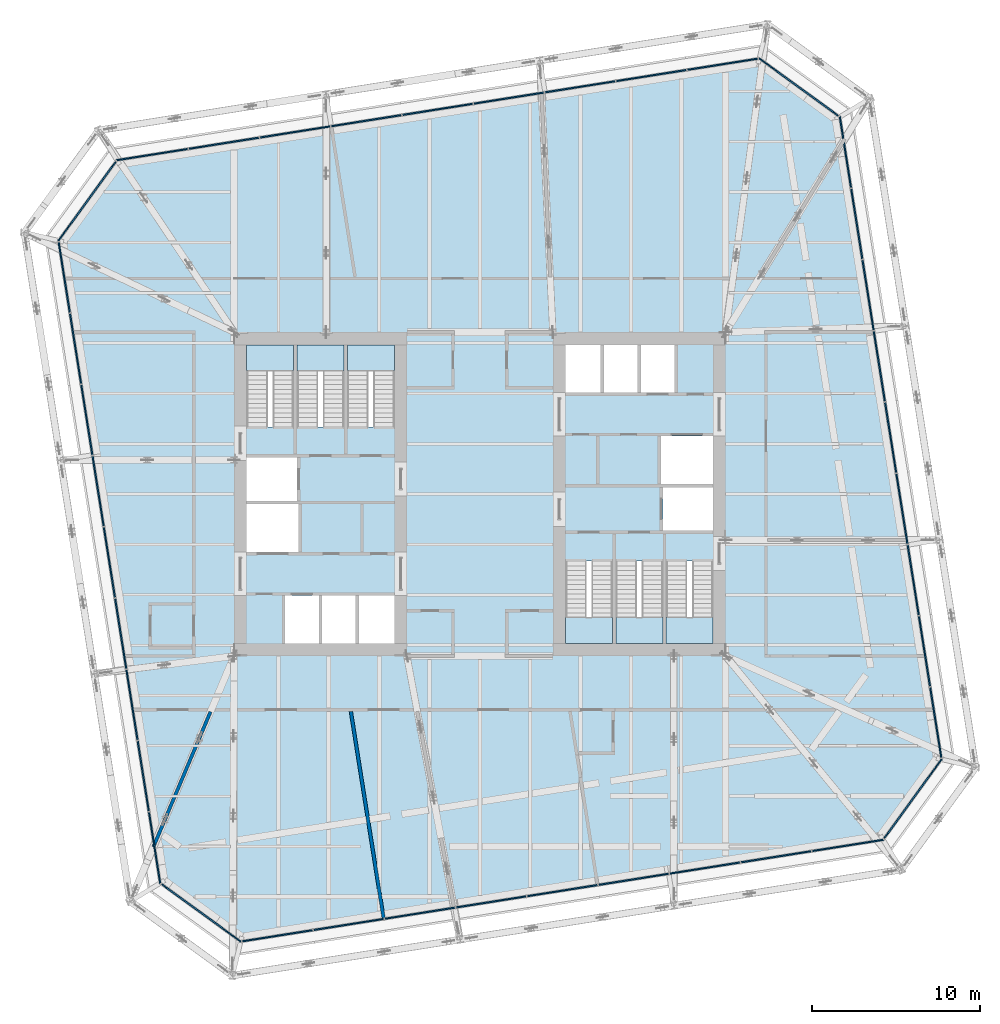
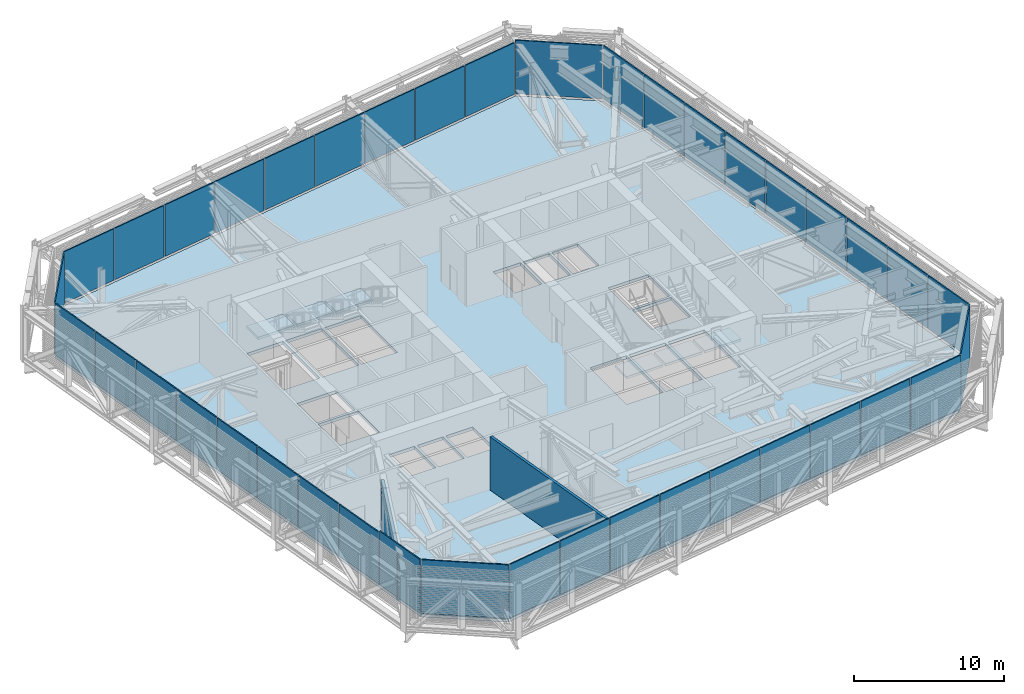
# One storey, part 19 of 31: 40 plates, 7 slabs, 2 walls, 14 elements without a shape of their own.
"""IFC4 building model written with IfcOpenShell, lengths in metres."""

from ifc_helpers import new_model, si_unit, direction, frame, frame_2d, origin, place, context, subcontext, project, spatial, polyline, rectangle, outline, extrude, material, layer, layer_set, type_object, element, aggregate, save


model = new_model("IFC4")

# Units and contexts
model_context = context("Model", 3, precision=1e-05, world=origin(), true_north=direction((0.0, 1.0)))
body_context = subcontext(model_context, "Body", "Model", "MODEL_VIEW")
ifc_project = project(units=[si_unit("LENGTHUNIT", "METRE"), si_unit("AREAUNIT", "SQUARE_METRE"), si_unit("VOLUMEUNIT", "CUBIC_METRE"), si_unit("PLANEANGLEUNIT", "RADIAN"), si_unit("MASSUNIT", "GRAM", prefix="KILO")], contexts=[model_context])

# Site, building, storey
site_placement = place(None, origin())
site = spatial("IfcSite", under=ifc_project, at=site_placement, CompositionType="ELEMENT")
building_placement = place(site_placement, origin())
building = spatial("IfcBuilding", under=site, at=building_placement, Name="Millrace Tower", CompositionType="ELEMENT")
storey_placement = place(building_placement, frame((0.0, 0.0, 195.60009765625)))
storey = spatial("IfcBuildingStorey", under=building, at=storey_placement, Name="L44", CompositionType="ELEMENT", Elevation=195.60009765625)

# Curtain wall, plate
ifc_material_1 = material(Name="Aluminium and glass", Category="aluminium")
ifc_layer_1 = layer(ifc_material_1, 0.14990234375)
ifc_layer_set_1 = layer_set([ifc_layer_1], Name="Aluminium and glass")
curtain_wall_type = type_object("IfcCurtainWallType", Name="CW-5 truss and plant storey louvred infill", PredefinedType="NOTDEFINED", material=ifc_layer_set_1)
placement_1 = place(storey_placement, origin())
curtain_wall_1 = element("IfcCurtainWall", 1, at=placement_1, inside=storey, type_object=curtain_wall_type, Name="Curtain wall C-F01 L44", PredefinedType="NOTDEFINED")
ifc_material_2 = material(Name="Glass", Category="glass")
ifc_layer_2 = layer(ifc_material_2, 0.090087890625)
ifc_layer_set_2 = layer_set([ifc_layer_2], Name="Glass")
plate_type = type_object("IfcPlateType", Name="CW-5 truss and plant storey louvred infill louvre cassette", PredefinedType="CURTAIN_PANEL", material=ifc_layer_set_2)
placement_2 = place(storey_placement, frame((0.0, 0.0, 0.139892578125)))
plate_1 = element("IfcPlate", 2, at=placement_2, type_object=plate_type, Name="CW5 panel C-F01.1", PredefinedType="CURTAIN_PANEL", context=body_context, shape_type="SweptSolid", body=[
    extrude(outline(polyline([(-19.001708984375, -23.273193359375), (-14.265869140625, -26.7138671875), (-14.2431640625, -26.619140625), (-18.94873046875, -23.200439453125), (-19.001708984375, -23.273193359375)])), origin(), (0.0, 0.0, 1.0), 4.360107421875),
])
aggregate(curtain_wall_1, [plate_1])

# Curtain wall, plates
curtain_wall_2 = element("IfcCurtainWall", 3, at=placement_1, inside=storey, type_object=curtain_wall_type, Name="Curtain wall C-F02 L44", PredefinedType="NOTDEFINED")
plate_2 = element("IfcPlate", 4, at=placement_2, type_object=plate_type, Name="CW5 panel C-F02.1", PredefinedType="CURTAIN_PANEL", context=body_context, shape_type="SweptSolid", body=[
    extrude(outline(polyline([(-14.152587890625, -26.696044921875), (-9.9697265625, -26.033447265625), (-9.98388671875, -25.944580078125), (-14.166748046875, -26.607177734375), (-14.152587890625, -26.696044921875)])), origin(), (0.0, 0.0, 1.0), 4.360107421875),
])
plate_3 = element("IfcPlate", 5, at=placement_2, type_object=plate_type, Name="CW5 panel C-F02.2", PredefinedType="CURTAIN_PANEL", context=body_context, shape_type="SweptSolid", body=[
    extrude(outline(polyline([(-9.905517578125, -26.0234375), (-5.72265625, -25.36083984375), (-5.73681640625, -25.27197265625), (-9.919677734375, -25.9345703125), (-9.905517578125, -26.0234375)])), origin(), (0.0, 0.0, 1.0), 4.360107421875),
])
plate_4 = element("IfcPlate", 6, at=placement_2, type_object=plate_type, Name="CW5 panel C-F02.3", PredefinedType="CURTAIN_PANEL", context=body_context, shape_type="SweptSolid", body=[
    extrude(outline(polyline([(-5.658447265625, -25.3505859375), (-1.4755859375, -24.688232421875), (-1.48974609375, -24.599365234375), (-5.672607421875, -25.26171875), (-5.658447265625, -25.3505859375)])), origin(), (0.0, 0.0, 1.0), 4.360107421875),
])
plate_5 = element("IfcPlate", 7, at=placement_2, type_object=plate_type, Name="CW5 panel C-F02.4", PredefinedType="CURTAIN_PANEL", context=body_context, shape_type="SweptSolid", body=[
    extrude(outline(polyline([(-1.411376953125, -24.677978515625), (2.771484375, -24.015625), (2.75732421875, -23.9267578125), (-1.425537109375, -24.589111328125), (-1.411376953125, -24.677978515625)])), origin(), (0.0, 0.0, 1.0), 4.360107421875),
])
plate_6 = element("IfcPlate", 8, at=placement_2, type_object=plate_type, Name="CW5 panel C-F02.5", PredefinedType="CURTAIN_PANEL", context=body_context, shape_type="SweptSolid", body=[
    extrude(outline(polyline([(2.835693359375, -24.00537109375), (7.0185546875, -23.3427734375), (7.00439453125, -23.25390625), (2.821533203125, -23.91650390625), (2.835693359375, -24.00537109375)])), origin(), (0.0, 0.0, 1.0), 4.360107421875),
])
plate_7 = element("IfcPlate", 9, at=placement_2, type_object=plate_type, Name="CW5 panel C-F02.6", PredefinedType="CURTAIN_PANEL", context=body_context, shape_type="SweptSolid", body=[
    extrude(outline(polyline([(7.082763671875, -23.332763671875), (11.265625, -22.670166015625), (11.25146484375, -22.581298828125), (7.068603515625, -23.243896484375), (7.082763671875, -23.332763671875)])), origin(), (0.0, 0.0, 1.0), 4.360107421875),
])
plate_8 = element("IfcPlate", 10, at=placement_2, type_object=plate_type, Name="CW5 panel C-F02.7", PredefinedType="CURTAIN_PANEL", context=body_context, shape_type="SweptSolid", body=[
    extrude(outline(polyline([(11.329833984375, -22.659912109375), (15.5126953125, -21.99755859375), (15.49853515625, -21.90869140625), (11.315673828125, -22.571044921875), (11.329833984375, -22.659912109375)])), origin(), (0.0, 0.0, 1.0), 4.360107421875),
])
plate_9 = element("IfcPlate", 11, at=placement_2, type_object=plate_type, Name="CW5 panel C-F02.8", PredefinedType="CURTAIN_PANEL", context=body_context, shape_type="SweptSolid", body=[
    extrude(outline(polyline([(15.576904296875, -21.9873046875), (19.759765625, -21.324951171875), (19.74560546875, -21.236083984375), (15.562744140625, -21.8984375), (15.576904296875, -21.9873046875)])), origin(), (0.0, 0.0, 1.0), 4.360107421875),
])
plate_10 = element("IfcPlate", 12, at=placement_2, type_object=plate_type, Name="CW5 panel C-F02.9", PredefinedType="CURTAIN_PANEL", context=body_context, shape_type="SweptSolid", body=[
    extrude(outline(polyline([(19.823974609375, -21.314697265625), (24.055908203125, -20.64453125), (24.0048828125, -20.561279296875), (19.809814453125, -21.225830078125), (19.823974609375, -21.314697265625)])), origin(), (0.0, 0.0, 1.0), 4.360107421875),
])
aggregate(curtain_wall_2, [plate_2, plate_3, plate_4, plate_5, plate_6, plate_7, plate_8, plate_9, plate_10])

# Curtain wall, plate
curtain_wall_3 = element("IfcCurtainWall", 13, at=placement_1, inside=storey, type_object=curtain_wall_type, Name="Curtain wall C-F03 L44", PredefinedType="NOTDEFINED")
plate_11 = element("IfcPlate", 14, at=placement_2, type_object=plate_type, Name="CW5 panel C-F03.1", PredefinedType="CURTAIN_PANEL", context=body_context, shape_type="SweptSolid", body=[
    extrude(outline(polyline([(24.123291015625, -20.551513671875), (27.56396484375, -15.81591796875), (27.46923828125, -15.793212890625), (24.050537109375, -20.498779296875), (24.123291015625, -20.551513671875)])), origin(), (0.0, 0.0, 1.0), 4.360107421875),
])
aggregate(curtain_wall_3, [plate_11])

# Curtain wall, plates
curtain_wall_4 = element("IfcCurtainWall", 15, at=placement_1, inside=storey, type_object=curtain_wall_type, Name="Curtain wall C-F04 L44", PredefinedType="NOTDEFINED")
plate_12 = element("IfcPlate", 16, at=placement_2, type_object=plate_type, Name="CW5 panel C-F04.1", PredefinedType="CURTAIN_PANEL", context=body_context, shape_type="SweptSolid", body=[
    extrude(outline(polyline([(27.546142578125, -15.70263671875), (26.883544921875, -11.519775390625), (26.794677734375, -11.53369140625), (27.45703125, -15.716552734375), (27.546142578125, -15.70263671875)])), origin(), (0.0, 0.0, 1.0), 4.360107421875),
])
plate_13 = element("IfcPlate", 17, at=placement_2, type_object=plate_type, Name="CW5 panel C-F04.2", PredefinedType="CURTAIN_PANEL", context=body_context, shape_type="SweptSolid", body=[
    extrude(outline(polyline([(26.873291015625, -11.45556640625), (26.2109375, -7.272705078125), (26.1220703125, -7.286865234375), (26.784423828125, -11.4697265625), (26.873291015625, -11.45556640625)])), origin(), (0.0, 0.0, 1.0), 4.360107421875),
])
plate_14 = element("IfcPlate", 18, at=placement_2, type_object=plate_type, Name="CW5 panel C-F04.3", PredefinedType="CURTAIN_PANEL", context=body_context, shape_type="SweptSolid", body=[
    extrude(outline(polyline([(26.20068359375, -7.20849609375), (25.5380859375, -3.025634765625), (25.44921875, -3.039794921875), (26.11181640625, -7.22265625), (26.20068359375, -7.20849609375)])), origin(), (0.0, 0.0, 1.0), 4.360107421875),
])
plate_15 = element("IfcPlate", 19, at=placement_2, type_object=plate_type, Name="CW5 panel C-F04.4", PredefinedType="CURTAIN_PANEL", context=body_context, shape_type="SweptSolid", body=[
    extrude(outline(polyline([(25.528076171875, -2.96142578125), (24.865478515625, 1.221435546875), (24.776611328125, 1.207275390625), (25.439208984375, -2.9755859375), (25.528076171875, -2.96142578125)])), origin(), (0.0, 0.0, 1.0), 4.360107421875),
])
plate_16 = element("IfcPlate", 20, at=placement_2, type_object=plate_type, Name="CW5 panel C-F04.5", PredefinedType="CURTAIN_PANEL", context=body_context, shape_type="SweptSolid", body=[
    extrude(outline(polyline([(24.85546875, 1.28564453125), (24.19287109375, 5.468505859375), (24.10400390625, 5.454345703125), (24.766357421875, 1.271484375), (24.85546875, 1.28564453125)])), origin(), (0.0, 0.0, 1.0), 4.360107421875),
])
plate_17 = element("IfcPlate", 21, at=placement_2, type_object=plate_type, Name="CW5 panel C-F04.6", PredefinedType="CURTAIN_PANEL", context=body_context, shape_type="SweptSolid", body=[
    extrude(outline(polyline([(24.1826171875, 5.53271484375), (23.520263671875, 9.715576171875), (23.431396484375, 9.701416015625), (24.09375, 5.5185546875), (24.1826171875, 5.53271484375)])), origin(), (0.0, 0.0, 1.0), 4.360107421875),
])
plate_18 = element("IfcPlate", 22, at=placement_2, type_object=plate_type, Name="CW5 panel C-F04.7", PredefinedType="CURTAIN_PANEL", context=body_context, shape_type="SweptSolid", body=[
    extrude(outline(polyline([(23.510009765625, 9.77978515625), (22.847412109375, 13.962646484375), (22.758544921875, 13.948486328125), (23.421142578125, 9.765625), (23.510009765625, 9.77978515625)])), origin(), (0.0, 0.0, 1.0), 4.360107421875),
])
plate_19 = element("IfcPlate", 23, at=placement_2, type_object=plate_type, Name="CW5 panel C-F04.8", PredefinedType="CURTAIN_PANEL", context=body_context, shape_type="SweptSolid", body=[
    extrude(outline(polyline([(22.83740234375, 14.02685546875), (22.1748046875, 18.209716796875), (22.0859375, 18.195556640625), (22.74853515625, 14.0126953125), (22.83740234375, 14.02685546875)])), origin(), (0.0, 0.0, 1.0), 4.360107421875),
])
plate_20 = element("IfcPlate", 24, at=placement_2, type_object=plate_type, Name="CW5 panel C-F04.9", PredefinedType="CURTAIN_PANEL", context=body_context, shape_type="SweptSolid", body=[
    extrude(outline(polyline([(22.164794921875, 18.27392578125), (21.494384765625, 22.505859375), (21.411376953125, 22.454833984375), (22.07568359375, 18.259765625), (22.164794921875, 18.27392578125)])), origin(), (0.0, 0.0, 1.0), 4.360107421875),
])
aggregate(curtain_wall_4, [plate_12, plate_13, plate_14, plate_15, plate_16, plate_17, plate_18, plate_19, plate_20])

# Curtain wall, plate
curtain_wall_5 = element("IfcCurtainWall", 25, at=placement_1, inside=storey, type_object=curtain_wall_type, Name="Curtain wall C-F05 L44", PredefinedType="NOTDEFINED")
plate_21 = element("IfcPlate", 26, at=placement_2, type_object=plate_type, Name="CW5 panel C-F05.1", PredefinedType="CURTAIN_PANEL", context=body_context, shape_type="SweptSolid", body=[
    extrude(outline(polyline([(21.401611328125, 22.5732421875), (16.665771484375, 26.013916015625), (16.64306640625, 25.919189453125), (21.3486328125, 22.50048828125), (21.401611328125, 22.5732421875)])), origin(), (0.0, 0.0, 1.0), 4.360107421875),
])
aggregate(curtain_wall_5, [plate_21])

# Curtain wall, plates
curtain_wall_6 = element("IfcCurtainWall", 27, at=placement_1, inside=storey, type_object=curtain_wall_type, Name="Curtain wall C-F06 L44", PredefinedType="NOTDEFINED")
plate_22 = element("IfcPlate", 28, at=placement_2, type_object=plate_type, Name="CW5 panel C-F06.1", PredefinedType="CURTAIN_PANEL", context=body_context, shape_type="SweptSolid", body=[
    extrude(outline(polyline([(16.552490234375, 25.99609375), (12.36962890625, 25.33349609375), (12.3837890625, 25.24462890625), (16.566650390625, 25.9072265625), (16.552490234375, 25.99609375)])), origin(), (0.0, 0.0, 1.0), 4.199951171875),
])
plate_23 = element("IfcPlate", 29, at=placement_2, type_object=plate_type, Name="CW5 panel C-F06.2", PredefinedType="CURTAIN_PANEL", context=body_context, shape_type="SweptSolid", body=[
    extrude(outline(polyline([(12.305419921875, 25.323486328125), (8.12255859375, 24.660888671875), (8.13671875, 24.572021484375), (12.319580078125, 25.234375), (12.305419921875, 25.323486328125)])), origin(), (0.0, 0.0, 1.0), 4.199951171875),
])
plate_24 = element("IfcPlate", 30, at=placement_2, type_object=plate_type, Name="CW5 panel C-F06.3", PredefinedType="CURTAIN_PANEL", context=body_context, shape_type="SweptSolid", body=[
    extrude(outline(polyline([(8.058349609375, 24.650634765625), (3.87548828125, 23.98828125), (3.8896484375, 23.8994140625), (8.072509765625, 24.561767578125), (8.058349609375, 24.650634765625)])), origin(), (0.0, 0.0, 1.0), 4.199951171875),
])
plate_25 = element("IfcPlate", 31, at=placement_2, type_object=plate_type, Name="CW5 panel C-F06.4", PredefinedType="CURTAIN_PANEL", context=body_context, shape_type="SweptSolid", body=[
    extrude(outline(polyline([(3.8115234375, 23.97802734375), (-0.371337890625, 23.3154296875), (-0.357421875, 23.2265625), (3.825439453125, 23.88916015625), (3.8115234375, 23.97802734375)])), origin(), (0.0, 0.0, 1.0), 4.199951171875),
])
plate_26 = element("IfcPlate", 32, at=placement_2, type_object=plate_type, Name="CW5 panel C-F06.5", PredefinedType="CURTAIN_PANEL", context=body_context, shape_type="SweptSolid", body=[
    extrude(outline(polyline([(-0.435546875, 23.305419921875), (-4.618408203125, 22.642822265625), (-4.6044921875, 22.553955078125), (-0.421630859375, 23.216552734375), (-0.435546875, 23.305419921875)])), origin(), (0.0, 0.0, 1.0), 4.199951171875),
])
plate_27 = element("IfcPlate", 33, at=placement_2, type_object=plate_type, Name="CW5 panel C-F06.6", PredefinedType="CURTAIN_PANEL", context=body_context, shape_type="SweptSolid", body=[
    extrude(outline(polyline([(-4.6826171875, 22.6328125), (-8.865478515625, 21.97021484375), (-8.8515625, 21.88134765625), (-4.668701171875, 22.543701171875), (-4.6826171875, 22.6328125)])), origin(), (0.0, 0.0, 1.0), 4.199951171875),
])
plate_28 = element("IfcPlate", 34, at=placement_2, type_object=plate_type, Name="CW5 panel C-F06.7", PredefinedType="CURTAIN_PANEL", context=body_context, shape_type="SweptSolid", body=[
    extrude(outline(polyline([(-8.9296875, 21.9599609375), (-13.112548828125, 21.297607421875), (-13.0986328125, 21.208740234375), (-8.915771484375, 21.87109375), (-8.9296875, 21.9599609375)])), origin(), (0.0, 0.0, 1.0), 4.199951171875),
])
plate_29 = element("IfcPlate", 35, at=placement_2, type_object=plate_type, Name="CW5 panel C-F06.8", PredefinedType="CURTAIN_PANEL", context=body_context, shape_type="SweptSolid", body=[
    extrude(outline(polyline([(-13.1767578125, 21.287353515625), (-17.359619140625, 20.624755859375), (-17.345703125, 20.535888671875), (-13.162841796875, 21.198486328125), (-13.1767578125, 21.287353515625)])), origin(), (0.0, 0.0, 1.0), 4.199951171875),
])
plate_30 = element("IfcPlate", 36, at=placement_2, type_object=plate_type, Name="CW5 panel C-F06.9", PredefinedType="CURTAIN_PANEL", context=body_context, shape_type="SweptSolid", body=[
    extrude(outline(polyline([(-17.423828125, 20.61474609375), (-21.65576171875, 19.9443359375), (-21.60498046875, 19.861328125), (-17.409912109375, 20.52587890625), (-17.423828125, 20.61474609375)])), origin(), (0.0, 0.0, 1.0), 4.199951171875),
])
aggregate(curtain_wall_6, [plate_22, plate_23, plate_24, plate_25, plate_26, plate_27, plate_28, plate_29, plate_30])

# Curtain wall, plate
curtain_wall_7 = element("IfcCurtainWall", 37, at=placement_1, inside=storey, type_object=curtain_wall_type, Name="Curtain wall C-F07 L44", PredefinedType="NOTDEFINED")
plate_31 = element("IfcPlate", 38, at=placement_2, type_object=plate_type, Name="CW5 panel C-F07.1", PredefinedType="CURTAIN_PANEL", context=body_context, shape_type="SweptSolid", body=[
    extrude(outline(polyline([(-21.723388671875, 19.8515625), (-25.1640625, 15.115966796875), (-25.0693359375, 15.093017578125), (-21.650390625, 19.798828125), (-21.723388671875, 19.8515625)])), origin(), (0.0, 0.0, 1.0), 4.199951171875),
])
aggregate(curtain_wall_7, [plate_31])

# Curtain wall, plates
curtain_wall_8 = element("IfcCurtainWall", 39, at=placement_1, inside=storey, type_object=curtain_wall_type, Name="Curtain wall C-F08 L44", PredefinedType="NOTDEFINED")
plate_32 = element("IfcPlate", 40, at=placement_2, type_object=plate_type, Name="CW5 panel C-F08.1", PredefinedType="CURTAIN_PANEL", context=body_context, shape_type="SweptSolid", body=[
    extrude(outline(polyline([(-25.14599609375, 15.002685546875), (-24.483642578125, 10.81982421875), (-24.39453125, 10.833740234375), (-25.05712890625, 15.0166015625), (-25.14599609375, 15.002685546875)])), origin(), (0.0, 0.0, 1.0), 4.199951171875),
])
plate_33 = element("IfcPlate", 41, at=placement_2, type_object=plate_type, Name="CW5 panel C-F08.2", PredefinedType="CURTAIN_PANEL", context=body_context, shape_type="SweptSolid", body=[
    extrude(outline(polyline([(-24.473388671875, 10.755615234375), (-23.810791015625, 6.57275390625), (-23.721923828125, 6.586669921875), (-24.384521484375, 10.76953125), (-24.473388671875, 10.755615234375)])), origin(), (0.0, 0.0, 1.0), 4.199951171875),
])
plate_34 = element("IfcPlate", 42, at=placement_2, type_object=plate_type, Name="CW5 panel C-F08.3", PredefinedType="CURTAIN_PANEL", context=body_context, shape_type="SweptSolid", body=[
    extrude(outline(polyline([(-23.80078125, 6.508544921875), (-23.13818359375, 2.32568359375), (-23.04931640625, 2.339599609375), (-23.7119140625, 6.5224609375), (-23.80078125, 6.508544921875)])), origin(), (0.0, 0.0, 1.0), 4.199951171875),
])
plate_35 = element("IfcPlate", 43, at=placement_2, type_object=plate_type, Name="CW5 panel C-F08.4", PredefinedType="CURTAIN_PANEL", context=body_context, shape_type="SweptSolid", body=[
    extrude(outline(polyline([(-23.1279296875, 2.261474609375), (-22.465576171875, -1.92138671875), (-22.376708984375, -1.907470703125), (-23.0390625, 2.275390625), (-23.1279296875, 2.261474609375)])), origin(), (0.0, 0.0, 1.0), 4.199951171875),
])
plate_36 = element("IfcPlate", 44, at=placement_2, type_object=plate_type, Name="CW5 panel C-F08.5", PredefinedType="CURTAIN_PANEL", context=body_context, shape_type="SweptSolid", body=[
    extrude(outline(polyline([(-22.455322265625, -1.985595703125), (-21.79296875, -6.16845703125), (-21.703857421875, -6.154541015625), (-22.366455078125, -1.9716796875), (-22.455322265625, -1.985595703125)])), origin(), (0.0, 0.0, 1.0), 4.199951171875),
])
plate_37 = element("IfcPlate", 45, at=placement_2, type_object=plate_type, Name="CW5 panel C-F08.6", PredefinedType="CURTAIN_PANEL", context=body_context, shape_type="SweptSolid", body=[
    extrude(outline(polyline([(-21.78271484375, -6.232666015625), (-21.1201171875, -10.41552734375), (-21.03125, -10.401611328125), (-21.69384765625, -6.21875), (-21.78271484375, -6.232666015625)])), origin(), (0.0, 0.0, 1.0), 4.199951171875),
])
plate_38 = element("IfcPlate", 46, at=placement_2, type_object=plate_type, Name="CW5 panel C-F08.7", PredefinedType="CURTAIN_PANEL", context=body_context, shape_type="SweptSolid", body=[
    extrude(outline(polyline([(-21.110107421875, -10.479736328125), (-20.447509765625, -14.66259765625), (-20.358642578125, -14.6484375), (-21.021240234375, -10.465576171875), (-21.110107421875, -10.479736328125)])), origin(), (0.0, 0.0, 1.0), 4.199951171875),
])
plate_39 = element("IfcPlate", 47, at=placement_2, type_object=plate_type, Name="CW5 panel C-F08.8", PredefinedType="CURTAIN_PANEL", context=body_context, shape_type="SweptSolid", body=[
    extrude(outline(polyline([(-20.437255859375, -14.726806640625), (-19.77490234375, -18.90966796875), (-19.68603515625, -18.8955078125), (-20.348388671875, -14.712646484375), (-20.437255859375, -14.726806640625)])), origin(), (0.0, 0.0, 1.0), 4.199951171875),
])
plate_40 = element("IfcPlate", 48, at=placement_2, type_object=plate_type, Name="CW5 panel C-F08.9", PredefinedType="CURTAIN_PANEL", context=body_context, shape_type="SweptSolid", body=[
    extrude(outline(polyline([(-19.7646484375, -18.973876953125), (-19.094482421875, -23.205810546875), (-19.011474609375, -23.155029296875), (-19.67578125, -18.959716796875), (-19.7646484375, -18.973876953125)])), origin(), (0.0, 0.0, 1.0), 4.360107421875),
])
aggregate(curtain_wall_8, [plate_32, plate_33, plate_34, plate_35, plate_36, plate_37, plate_38, plate_39, plate_40])

# Slab
ifc_material_3 = material(Name="Concrete C35 on steel deck", Category="concrete")
ifc_layer_3 = layer(ifc_material_3, 0.25)
ifc_layer_set_3 = layer_set([ifc_layer_3], Name="Concrete C35 on steel deck")
slab_type_1 = type_object("IfcSlabType", Name="Composite floor slab 250 mm", PredefinedType="FLOOR", material=ifc_layer_set_3)
slab_1_placement = place(storey_placement, frame((0.0, 0.0, -0.25)))
element("IfcSlab", 49, at=slab_1_placement, inside=storey, type_object=slab_type_1, Name="SL-C-L44-S1", PredefinedType="FLOOR", context=body_context, shape_type="SweptSolid", body=[
    extrude(outline(polyline([(-18.983642578125, -23.137939453125), (-14.235595703125, -26.587646484375), (23.988037109375, -20.53369140625), (27.437744140625, -15.78564453125), (21.3837890625, 22.43798828125), (16.635498046875, 25.8876953125), (-21.587890625, 19.833740234375), (-25.03759765625, 15.08544921875), (-18.983642578125, -23.137939453125)]), holes=[polyline([(-11.60009765625, -8.89990234375), (-9.60009765625, -8.89990234375), (-9.60009765625, -6.050048828125), (-11.60009765625, -6.050048828125), (-11.60009765625, -8.89990234375)]), polyline([(-9.39990234375, -8.89990234375), (-7.39990234375, -8.89990234375), (-7.39990234375, -6.050048828125), (-9.39990234375, -6.050048828125), (-9.39990234375, -8.89990234375)]), polyline([(-7.199951171875, -8.89990234375), (-5.10009765625, -8.89990234375), (-5.10009765625, -6.050048828125), (-7.199951171875, -6.050048828125), (-7.199951171875, -8.89990234375)]), polyline([(-13.89990234375, -3.449951171875), (-10.800048828125, -3.449951171875), (-10.800048828125, -0.60009765625), (-13.89990234375, -0.60009765625), (-13.89990234375, -3.449951171875)]), polyline([(-13.89990234375, -0.39990234375), (-10.89990234375, -0.39990234375), (-10.89990234375, 2.179931640625), (-13.89990234375, 2.179931640625), (-13.89990234375, -0.39990234375)]), polyline([(-13.89990234375, 4.0), (-11.10009765625, 4.0), (-11.10009765625, 8.89990234375), (-13.89990234375, 8.89990234375), (-13.89990234375, 4.0)]), polyline([(-10.89990234375, 4.0), (-8.10009765625, 4.0), (-8.10009765625, 8.89990234375), (-10.89990234375, 8.89990234375), (-10.89990234375, 4.0)]), polyline([(-7.89990234375, 4.0), (-5.10009765625, 4.0), (-5.10009765625, 8.89990234375), (-7.89990234375, 8.89990234375), (-7.89990234375, 4.0)]), polyline([(9.60009765625, 6.050048828125), (11.60009765625, 6.050048828125), (11.60009765625, 8.89990234375), (9.60009765625, 8.89990234375), (9.60009765625, 6.050048828125)]), polyline([(7.39990234375, 6.050048828125), (9.39990234375, 6.050048828125), (9.39990234375, 8.89990234375), (7.39990234375, 8.89990234375), (7.39990234375, 6.050048828125)]), polyline([(5.10009765625, 6.050048828125), (7.199951171875, 6.050048828125), (7.199951171875, 8.89990234375), (5.10009765625, 8.89990234375), (5.10009765625, 6.050048828125)]), polyline([(10.800048828125, 0.60009765625), (13.89990234375, 0.60009765625), (13.89990234375, 3.449951171875), (10.800048828125, 3.449951171875), (10.800048828125, 0.60009765625)]), polyline([(10.89990234375, -2.179931640625), (13.89990234375, -2.179931640625), (13.89990234375, 0.39990234375), (10.89990234375, 0.39990234375), (10.89990234375, -2.179931640625)]), polyline([(11.10009765625, -8.89990234375), (13.89990234375, -8.89990234375), (13.89990234375, -4.0), (11.10009765625, -4.0), (11.10009765625, -8.89990234375)]), polyline([(8.10009765625, -8.89990234375), (10.89990234375, -8.89990234375), (10.89990234375, -4.0), (8.10009765625, -4.0), (8.10009765625, -8.89990234375)]), polyline([(5.10009765625, -8.89990234375), (7.89990234375, -8.89990234375), (7.89990234375, -4.0), (5.10009765625, -4.0), (5.10009765625, -8.89990234375)])]), origin(), (0.0, 0.0, 1.0), 0.25),
])

# Stair, slab
ifc_material_4 = material(Name="Concrete C35", Category="concrete")
stair_type = type_object("IfcStairType", Name="Exit stair", PredefinedType="HALF_TURN_STAIR", material=ifc_material_4)
stair_1 = element("IfcStair", 50, at=placement_1, inside=storey, type_object=stair_type, Name="Stair 1 W L44", PredefinedType="HALF_TURN_STAIR")
ifc_material_5 = material(Name="Concrete C40", Category="concrete")
ifc_layer_4 = layer(ifc_material_5, 0.199951171875)
ifc_layer_set_4 = layer_set([ifc_layer_4], Name="Concrete C40")
slab_type_2 = type_object("IfcSlabType", Name="Stair landing", PredefinedType="LANDING", material=ifc_layer_set_4)
placement_3 = place(storey_placement, frame((0.0, 0.0, 2.0498046875)))
slab_2 = element("IfcSlab", 51, at=placement_3, type_object=slab_type_2, Name="ST12 landing 1", PredefinedType="LANDING", context=body_context, shape_type="SweptSolid", body=[
    extrude(outline(polyline([(-13.89990234375, 7.360107421875), (-11.10009765625, 7.360107421875), (-11.10009765625, 8.89990234375), (-13.89990234375, 8.89990234375), (-13.89990234375, 7.360107421875)])), origin(), (0.0, 0.0, 1.0), 0.2001953125),
])
aggregate(stair_1, [slab_2])

stair_2 = element("IfcStair", 52, at=placement_1, inside=storey, type_object=stair_type, Name="Stair 2 W L44", PredefinedType="HALF_TURN_STAIR")
slab_3 = element("IfcSlab", 53, at=placement_3, type_object=slab_type_2, Name="ST12 landing 1", PredefinedType="LANDING", context=body_context, shape_type="SweptSolid", body=[
    extrude(outline(polyline([(-10.89990234375, 7.360107421875), (-8.10009765625, 7.360107421875), (-8.10009765625, 8.89990234375), (-10.89990234375, 8.89990234375), (-10.89990234375, 7.360107421875)])), origin(), (0.0, 0.0, 1.0), 0.2001953125),
])
aggregate(stair_2, [slab_3])

stair_3 = element("IfcStair", 54, at=placement_1, inside=storey, type_object=stair_type, Name="Stair 3 W L44", PredefinedType="HALF_TURN_STAIR")
slab_4 = element("IfcSlab", 55, at=placement_3, type_object=slab_type_2, Name="ST12 landing 1", PredefinedType="LANDING", context=body_context, shape_type="SweptSolid", body=[
    extrude(outline(polyline([(-7.89990234375, 7.360107421875), (-5.10009765625, 7.360107421875), (-5.10009765625, 8.89990234375), (-7.89990234375, 8.89990234375), (-7.89990234375, 7.360107421875)])), origin(), (0.0, 0.0, 1.0), 0.2001953125),
])
aggregate(stair_3, [slab_4])

stair_4 = element("IfcStair", 56, at=placement_1, inside=storey, type_object=stair_type, Name="Stair 1 E L44", PredefinedType="HALF_TURN_STAIR")
slab_5 = element("IfcSlab", 57, at=placement_3, type_object=slab_type_2, Name="ST12 landing 1", PredefinedType="LANDING", context=body_context, shape_type="SweptSolid", body=[
    extrude(outline(polyline([(11.10009765625, -8.89990234375), (13.89990234375, -8.89990234375), (13.89990234375, -7.360107421875), (11.10009765625, -7.360107421875), (11.10009765625, -8.89990234375)])), origin(), (0.0, 0.0, 1.0), 0.2001953125),
])
aggregate(stair_4, [slab_5])

stair_5 = element("IfcStair", 58, at=placement_1, inside=storey, type_object=stair_type, Name="Stair 2 E L44", PredefinedType="HALF_TURN_STAIR")
slab_6 = element("IfcSlab", 59, at=placement_3, type_object=slab_type_2, Name="ST12 landing 1", PredefinedType="LANDING", context=body_context, shape_type="SweptSolid", body=[
    extrude(outline(polyline([(8.10009765625, -8.89990234375), (10.89990234375, -8.89990234375), (10.89990234375, -7.360107421875), (8.10009765625, -7.360107421875), (8.10009765625, -8.89990234375)])), origin(), (0.0, 0.0, 1.0), 0.2001953125),
])
aggregate(stair_5, [slab_6])

stair_6 = element("IfcStair", 60, at=placement_1, inside=storey, type_object=stair_type, Name="Stair 3 E L44", PredefinedType="HALF_TURN_STAIR")
slab_7 = element("IfcSlab", 61, at=placement_3, type_object=slab_type_2, Name="ST12 landing 1", PredefinedType="LANDING", context=body_context, shape_type="SweptSolid", body=[
    extrude(outline(polyline([(5.10009765625, -8.89990234375), (7.89990234375, -8.89990234375), (7.89990234375, -7.360107421875), (5.10009765625, -7.360107421875), (5.10009765625, -8.89990234375)])), origin(), (0.0, 0.0, 1.0), 0.2001953125),
])
aggregate(stair_6, [slab_7])

# Walls
ifc_material_6 = material(Name="Masonry partition, fire-rated", Category="masonry")
ifc_layer_5 = layer(ifc_material_6, 0.199951171875)
ifc_layer_set_5 = layer_set([ifc_layer_5], Name="Masonry partition, fire-rated")
wall_type = type_object("IfcWallType", Name="Corridor wall 200", PredefinedType="PARTITIONING", material=ifc_layer_set_5)
wall_1_placement = place(storey_placement, frame((-7.68798828125, -12.95068359375, 0.0), z_axis=(0.0, 0.0, 1.0), x_axis=(0.156370584619, -0.987698456142, 0.0)))
element("IfcWall", 62, at=wall_1_placement, inside=storey, type_object=wall_type, Name="Corridor wall L44", PredefinedType="PARTITIONING", context=body_context, shape_type="SweptSolid", body=[
    extrude(rectangle(XDim=12.474853515625, YDim=0.199951171875, at=frame_2d((6.2373046875, 0.0))), origin(), (0.0, 0.0, 1.0), 4.33984375),
])
wall_2_placement = place(storey_placement, frame((-19.456298828125, -21.020751953125, 0.0), z_axis=(0.0, 0.0, 1.0), x_axis=(0.389340946686, 0.921093712515, 0.0)))
element("IfcWall", 63, at=wall_2_placement, inside=storey, type_object=wall_type, Name="Corridor wall L44", PredefinedType="PARTITIONING", context=body_context, shape_type="SweptSolid", body=[
    extrude(rectangle(XDim=8.736328125, YDim=0.199951171875, at=frame_2d((4.3681640625, 0.0))), origin(), (0.0, 0.0, 1.0), 3.75732421875),
])

save(model, "model.ifc")
